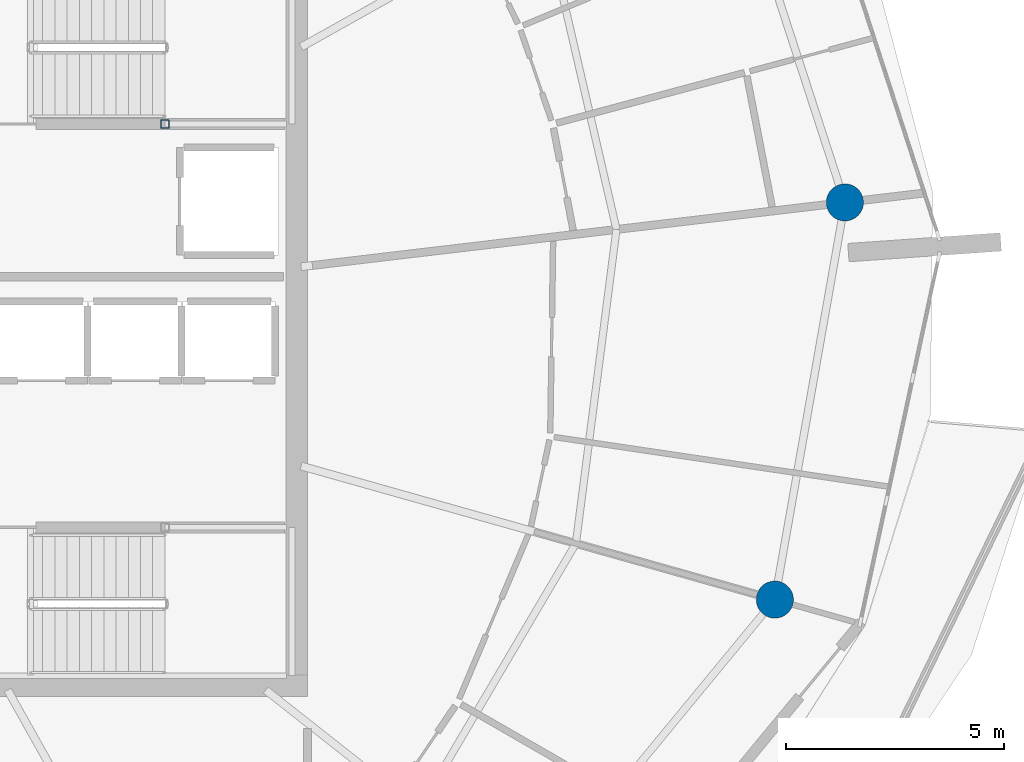
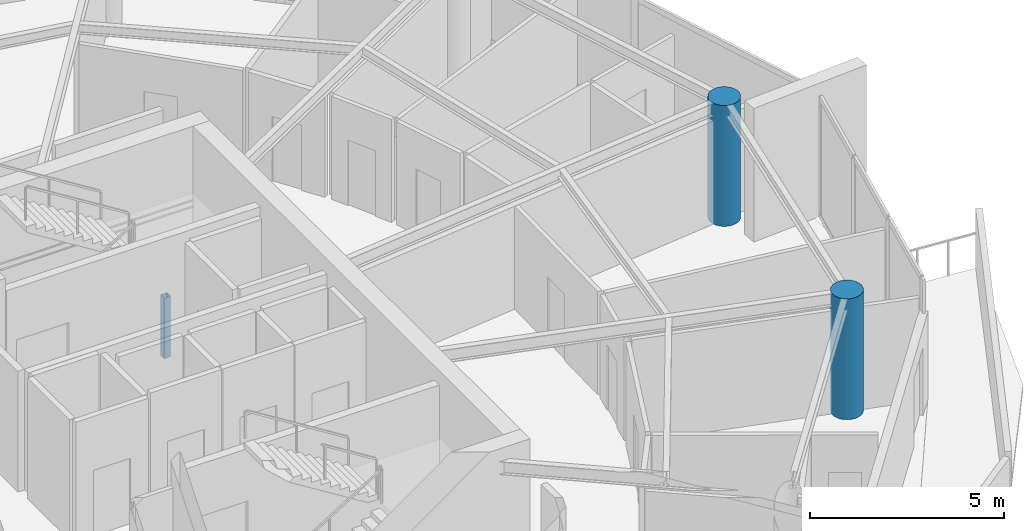
# One storey, part 3 of 21: 3 columns.
"""IFC4 building model written with IfcOpenShell, lengths in metres."""

from ifc_helpers import new_model, si_unit, direction, frame, origin, origin_2d, place, context, subcontext, project, spatial, hollow_rectangle, circle, extrude, material, material_profile, profile_set, type_object, element, save


model = new_model("IFC4")

# Units and contexts
model_context = context("Model", 3, precision=1e-05, world=origin(), true_north=direction((0.0, 1.0)))
body_context = subcontext(model_context, "Body", "Model", "MODEL_VIEW")
ifc_project = project(units=[si_unit("LENGTHUNIT", "METRE"), si_unit("AREAUNIT", "SQUARE_METRE"), si_unit("VOLUMEUNIT", "CUBIC_METRE"), si_unit("PLANEANGLEUNIT", "RADIAN"), si_unit("MASSUNIT", "GRAM", prefix="KILO")], contexts=[model_context])

# Site, building, storey
site_placement = place(None, origin())
site = spatial("IfcSite", under=ifc_project, at=site_placement, CompositionType="ELEMENT")
building_placement = place(site_placement, origin())
building = spatial("IfcBuilding", under=site, at=building_placement, Name="Kazma Halo Residences", CompositionType="ELEMENT")
storey_placement = place(building_placement, frame((0.0, 0.0, 338.89990234375)))
storey = spatial("IfcBuildingStorey", under=building, at=storey_placement, Name="L85", CompositionType="ELEMENT", Elevation=338.89990234375)

# Columns
ifc_material_1 = material(Name="Steel S355", Category="steel")
ifc_material_profile_1 = material_profile(ifc_material_1, hollow_rectangle(XDim=0.199951171875, YDim=0.199951171875, WallThickness=0.010009765625, InnerFilletRadius=0.010009765625, OuterFilletRadius=0.02001953125, at=origin_2d()), Name="SHS200x200x10")
ifc_profile_set_1 = profile_set([ifc_material_profile_1], Name="Steel S355")
column_type_1 = type_object("IfcColumnType", Name="COL-LP-SHS200", PredefinedType="COLUMN", material=ifc_profile_set_1)
column_placement = place(storey_placement, frame((56.280029296875, 46.6201171875, 0.0), z_axis=(0.0, 0.0, 1.0), x_axis=(1.0, 0.0, 0.0)))
element("IfcColumn", 1, at=column_placement, inside=storey, type_object=column_type_1, Name="L85 ST-02 landing pilaster 1", PredefinedType="COLUMN", context=body_context, shape_type="SweptSolid", body=[
    extrude(hollow_rectangle(XDim=0.199951171875, YDim=0.199951171875, WallThickness=0.010009765625, InnerFilletRadius=0.010009765625, OuterFilletRadius=0.02001953125, at=origin_2d()), origin(), (0.0, 0.0, 1.0), 1.89501953125),
])
ifc_material_2 = material(Name="Concrete C60/75", Category="concrete")
ifc_material_profile_2 = material_profile(ifc_material_2, circle(Radius=0.425048828125, at=origin_2d()), Name="CIRC850")
ifc_profile_set_2 = profile_set([ifc_material_profile_2], Name="Concrete C60/75")
column_type_2 = type_object("IfcColumnType", Name="COL-PERIM-850", PredefinedType="COLUMN", material=ifc_profile_set_2)
for number, where, z_axis, x_axis, name in (
    (2, (70.255615234375, 35.723388671875, 0.0), (0.0, 0.0, 1.0), (1.0, 0.0, 0.0), "L85 perimeter ring column P15"),
    (3, (71.8603515625, 44.82421875, 0.0), (0.0, 0.0, 1.0), (1.0, 0.0, 0.0), "L85 perimeter ring column P16"),
):
    element("IfcColumn", number, at=place(storey_placement, frame(where, z_axis=z_axis, x_axis=x_axis)), inside=storey, type_object=column_type_2, Name=name, PredefinedType="COLUMN", context=body_context, shape_type="SweptSolid", body=[
        extrude(circle(Radius=0.425048828125, at=origin_2d()), origin(), (0.0, 0.0, 1.0), 3.800048828125),
    ])

save(model, "model.ifc")
